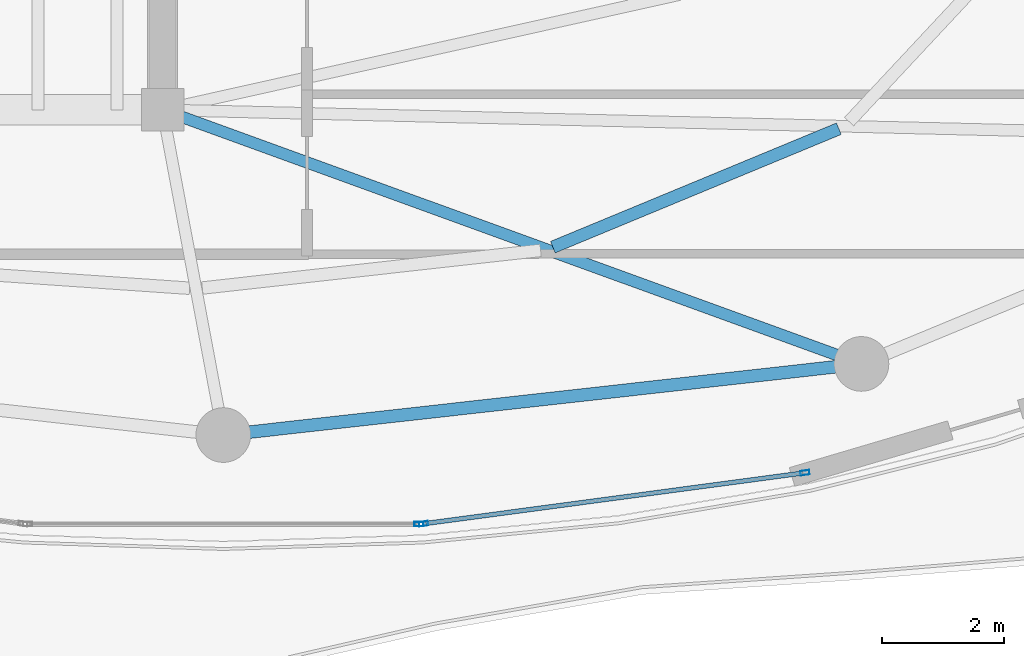
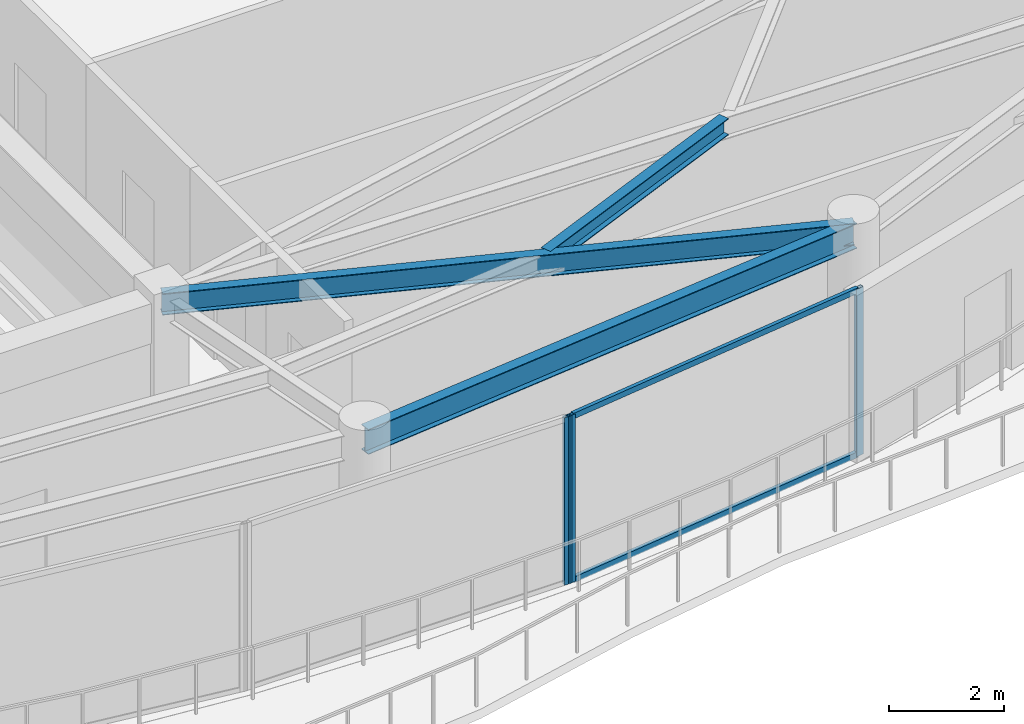
# One storey, part 11 of 29: 5 members, 3 beams, 2 elements without a shape of their own.
"""IFC4 building model written with IfcOpenShell, lengths in metres."""

from ifc_helpers import new_model, si_unit, direction, frame, origin, origin_2d, place, context, subcontext, project, spatial, hollow_rectangle, i_section, extrude, material, layer, layer_set, material_profile, profile_set, type_object, element, aggregate, save


model = new_model("IFC4")

# Units and contexts
model_context = context("Model", 3, precision=1e-05, world=origin(), true_north=direction((0.0, 1.0)))
body_context = subcontext(model_context, "Body", "Model", "MODEL_VIEW")
ifc_project = project(units=[si_unit("LENGTHUNIT", "METRE"), si_unit("AREAUNIT", "SQUARE_METRE"), si_unit("VOLUMEUNIT", "CUBIC_METRE"), si_unit("PLANEANGLEUNIT", "RADIAN"), si_unit("MASSUNIT", "GRAM", prefix="KILO")], contexts=[model_context])

# Site, building, storey
site_placement = place(None, origin())
site = spatial("IfcSite", under=ifc_project, at=site_placement, CompositionType="ELEMENT")
building_placement = place(site_placement, origin())
building = spatial("IfcBuilding", under=site, at=building_placement, Name="Kazevale Care Tower and Concert Hall", CompositionType="ELEMENT")
storey_placement = place(building_placement, frame((0.0, 0.0, 285.199951171875)))
storey = spatial("IfcBuildingStorey", under=building, at=storey_placement, Name="L75", CompositionType="ELEMENT", Elevation=285.199951171875)

# Curtain wall, members
ifc_material_1 = material(Name="Aluminium 6063-T6 and Low-E Glass", Category="aluminium")
ifc_layer = layer(ifc_material_1, 0.179931640625)
ifc_layer_set = layer_set([ifc_layer], Name="Aluminium 6063-T6 and Low-E Glass")
curtain_wall_type = type_object("IfcCurtainWallType", Name="Sheltered Concave Balcony Curtain Wall CW-5", PredefinedType="NOTDEFINED", material=ifc_layer_set)
curtain_wall_1_placement = place(storey_placement, origin())
curtain_wall_1 = element("IfcCurtainWall", 1, at=curtain_wall_1_placement, inside=storey, type_object=curtain_wall_type, Name="cw:L75:f05", PredefinedType="NOTDEFINED")
ifc_material_2 = material(Name="Aluminium 6063-T6", Category="aluminium")
ifc_material_profile_1 = material_profile(ifc_material_2, hollow_rectangle(XDim=0.074951171875, YDim=0.14990234375, WallThickness=0.00390625, at=origin_2d()), Name="ALU75x150x4")
ifc_profile_set_1 = profile_set([ifc_material_profile_1], Name="Aluminium 6063-T6")
member_type_1 = type_object("IfcMemberType", Name="CW-5 Mullion ALU75x150x4", PredefinedType="MULLION", material=ifc_profile_set_1)
member_1_placement = place(storey_placement, frame((54.56982421875, 17.629150390625, 0.0), z_axis=(0.0, 0.0, 1.0), x_axis=(0.132542069018, -0.991177380664, 0.0)))
member_1 = element("IfcMember", 2, at=member_1_placement, type_object=member_type_1, Name="CW-5 mullion 1", PredefinedType="MULLION", context=body_context, shape_type="SweptSolid", body=[
    extrude(hollow_rectangle(XDim=0.074951171875, YDim=0.14990234375, WallThickness=0.00390625, at=origin_2d()), origin(), (0.0, 0.0, 1.0), 3.56005859375),
])
member_2_placement = place(storey_placement, frame((48.295166015625, 16.7900390625, 0.0), z_axis=(0.0, 0.0, 1.0), x_axis=(0.132542069018, -0.991177380664, 0.0)))
member_2 = element("IfcMember", 3, at=member_2_placement, type_object=member_type_1, Name="CW-5 mullion 2", PredefinedType="MULLION", context=body_context, shape_type="SweptSolid", body=[
    extrude(hollow_rectangle(XDim=0.074951171875, YDim=0.14990234375, WallThickness=0.00390625, at=origin_2d()), origin(), (0.0, 0.0, 1.0), 3.56005859375),
])

# Curtain wall, member
curtain_wall_2_placement = place(storey_placement, origin())
curtain_wall_2 = element("IfcCurtainWall", 4, at=curtain_wall_2_placement, inside=storey, type_object=curtain_wall_type, Name="cw:L75:f06", PredefinedType="NOTDEFINED")
member_3_placement = place(storey_placement, frame((48.220458984375, 16.784912109375, 0.0), z_axis=(0.0, 0.0, 1.0), x_axis=(0.0, -1.0, 0.0)))
member_3 = element("IfcMember", 5, at=member_3_placement, type_object=member_type_1, Name="CW-5 mullion 1", PredefinedType="MULLION", context=body_context, shape_type="SweptSolid", body=[
    extrude(hollow_rectangle(XDim=0.074951171875, YDim=0.14990234375, WallThickness=0.00390625, at=origin_2d()), origin(), (0.0, 0.0, 1.0), 3.56005859375),
])
aggregate(curtain_wall_2, [member_3])

# Member
ifc_material_profile_2 = material_profile(ifc_material_2, hollow_rectangle(XDim=0.074951171875, YDim=0.1201171875, WallThickness=0.00390625, at=origin_2d()), Name="ALU75x120x4")
ifc_profile_set_2 = profile_set([ifc_material_profile_2], Name="Aluminium 6063-T6")
member_type_2 = type_object("IfcMemberType", Name="CW-5 Transom ALU75x120x4", PredefinedType="USERDEFINED", material=ifc_profile_set_2)
member_4_placement = place(storey_placement, frame((54.53271484375, 17.6240234375, 0.03759765625), z_axis=(-0.991178066261, -0.132536941884, 0.0), x_axis=(0.132536941884, -0.991178066261, 0.0)))
member_4 = element("IfcMember", 6, at=member_4_placement, type_object=member_type_2, Name="CW-5 transom 1.1", ObjectType="TRANSOM", PredefinedType="USERDEFINED", context=body_context, shape_type="SweptSolid", body=[
    extrude(hollow_rectangle(XDim=0.074951171875, YDim=0.1201171875, WallThickness=0.00390625, at=origin_2d()), origin(), (0.0, 0.0, 1.0), 6.255615234375),
])

member_5_placement = place(storey_placement, frame((54.53271484375, 17.6240234375, 3.5224609375), z_axis=(-0.991178066261, -0.132536941884, 0.0), x_axis=(0.132536941884, -0.991178066261, 0.0)))
member_5 = element("IfcMember", 7, at=member_5_placement, type_object=member_type_2, Name="CW-5 transom 1.2", ObjectType="TRANSOM", PredefinedType="USERDEFINED", context=body_context, shape_type="SweptSolid", body=[
    extrude(hollow_rectangle(XDim=0.074951171875, YDim=0.1201171875, WallThickness=0.00390625, at=origin_2d()), origin(), (0.0, 0.0, 1.0), 6.255615234375),
])

aggregate(curtain_wall_1, [member_1, member_2, member_4, member_5])

# Beams
ifc_material_3 = material(Name="Steel ASTM A572 Gr 50", Category="steel")
ifc_material_profile_3 = material_profile(ifc_material_3, i_section(OverallWidth=0.19091796875, OverallDepth=0.4599609375, WebThickness=0.010009765625, FlangeThickness=0.01611328125, at=origin_2d()), Name="W460x82")
ifc_profile_set_3 = profile_set([ifc_material_profile_3], Name="Steel ASTM A572 Gr 50")
beam_type_1 = type_object("IfcBeamType", Name="Radial Floor Beam W460x82", PredefinedType="BEAM", material=ifc_profile_set_3)
beam_1_placement = place(storey_placement, frame((44.0, 23.60009765625, 3.330078125), z_axis=(0.939836524786, -0.341624511239, 0.0), x_axis=(0.341624511239, 0.939836524786, 0.0)))
element("IfcBeam", 8, at=beam_1_placement, inside=storey, type_object=beam_type_1, Name="beam:L75:rad:14", PredefinedType="BEAM", context=body_context, shape_type="SweptSolid", body=[
    extrude(i_section(OverallWidth=0.19091796875, OverallDepth=0.4599609375, WebThickness=0.010009765625, FlangeThickness=0.01611328125, at=origin_2d()), origin(), (0.0, 0.0, 1.0), 12.236083984375),
])
ifc_material_profile_4 = material_profile(ifc_material_3, i_section(OverallWidth=0.205078125, OverallDepth=0.35400390625, WebThickness=0.009521484375, FlangeThickness=0.016845703125, at=origin_2d()), Name="W360x79")
ifc_profile_set_4 = profile_set([ifc_material_profile_4], Name="Steel ASTM A572 Gr 50")
beam_type_2 = type_object("IfcBeamType", Name="Secondary Floor Joist W360x79", PredefinedType="JOIST", material=ifc_profile_set_4)
beam_2_placement = place(storey_placement, frame((50.422119140625, 21.341064453125, 3.383056640625), z_axis=(0.92389590915, 0.382643893268, 0.0), x_axis=(-0.382643893268, 0.92389590915, 0.0)))
element("IfcBeam", 9, at=beam_2_placement, inside=storey, type_object=beam_type_2, Name="beam:L75:joist:14", PredefinedType="JOIST", context=body_context, shape_type="SweptSolid", body=[
    extrude(i_section(OverallWidth=0.205078125, OverallDepth=0.35400390625, WebThickness=0.009521484375, FlangeThickness=0.016845703125, at=origin_2d()), origin(), (0.0, 0.0, 1.0), 5.093505859375),
])
ifc_material_profile_5 = material_profile(ifc_material_3, i_section(OverallWidth=0.208984375, OverallDepth=0.532958984375, WebThickness=0.01025390625, FlangeThickness=0.015625, at=origin_2d()), Name="W530x92")
ifc_profile_set_5 = profile_set([ifc_material_profile_5], Name="Steel ASTM A572 Gr 50")
beam_type_3 = type_object("IfcBeamType", Name="Upper Ring Beam W530x92", PredefinedType="BEAM", material=ifc_profile_set_5)
beam_3_placement = place(storey_placement, frame((45.0, 18.25, 3.29345703125), z_axis=(0.993849870772, 0.110735876598, 0.0), x_axis=(-0.110735876598, 0.993849870772, 0.0)))
element("IfcBeam", 10, at=beam_3_placement, inside=storey, type_object=beam_type_3, Name="beam:L75:ring:13", PredefinedType="BEAM", context=body_context, shape_type="SweptSolid", body=[
    extrude(i_section(OverallWidth=0.208984375, OverallDepth=0.532958984375, WebThickness=0.01025390625, FlangeThickness=0.015625, at=origin_2d()), origin(), (0.0, 0.0, 1.0), 10.56494140625),
])

save(model, "model.ifc")
